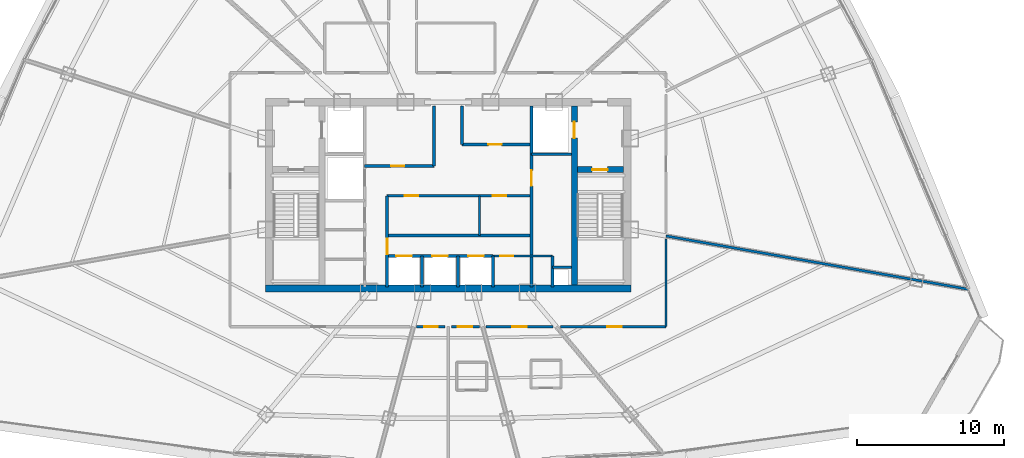
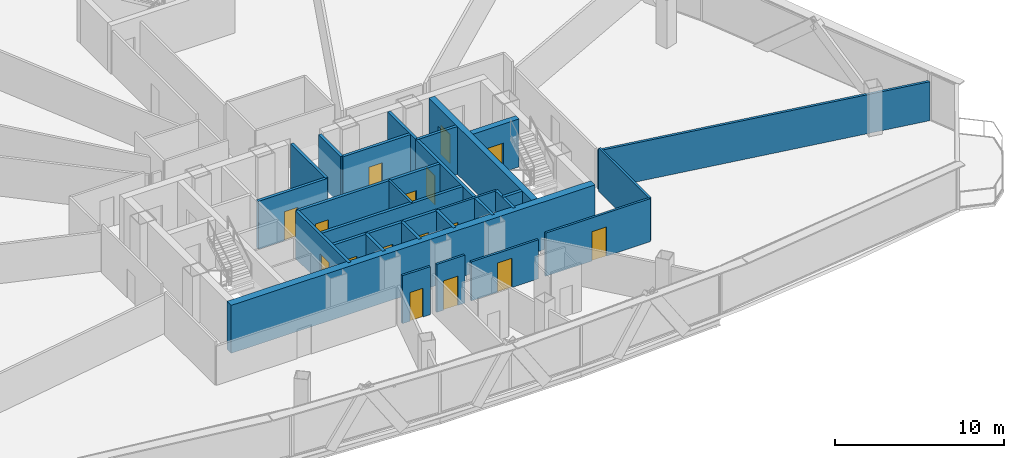
# One storey, part 28 of 34: 27 walls, 16 doors, 16 openings.
"""IFC4 building model written with IfcOpenShell, lengths in metres."""

from ifc_helpers import new_model, si_unit, direction, frame, frame_2d, origin, origin_with_axes, place, context, subcontext, project, spatial, rectangle, extrude, source, transform, mapped, material, layer, layer_set, type_object, element, fill, save


model = new_model("IFC4")

# Units and contexts
model_context = context("Model", 3, precision=1e-05, world=origin(), true_north=direction((0.0, 1.0)))
body_context = subcontext(model_context, "Body", "Model", "MODEL_VIEW")
ifc_project = project(units=[si_unit("LENGTHUNIT", "METRE"), si_unit("AREAUNIT", "SQUARE_METRE"), si_unit("VOLUMEUNIT", "CUBIC_METRE"), si_unit("PLANEANGLEUNIT", "RADIAN"), si_unit("MASSUNIT", "GRAM", prefix="KILO"), si_unit("THERMODYNAMICTEMPERATUREUNIT", "KELVIN"), si_unit("POWERUNIT", "WATT")], contexts=[model_context])

# Site, building, storey
site_placement = place(None, origin())
site = spatial("IfcSite", under=ifc_project, at=site_placement, CompositionType="ELEMENT")
building_placement = place(site_placement, origin())
building = spatial("IfcBuilding", under=site, at=building_placement, Name="Yunzhuo Pagoda Commons", CompositionType="ELEMENT")
storey_placement = place(building_placement, frame((0.0, 0.0, 229.610107421875)))
storey = spatial("IfcBuildingStorey", under=building, at=storey_placement, Name="L57", CompositionType="ELEMENT", Elevation=229.610107421875)

# Walls
ifc_material_1 = material(Name="Concrete C50", Category="concrete")
ifc_layer_1 = layer(ifc_material_1, 0.5)
ifc_layer_set_1 = layer_set([ifc_layer_1], Name="Concrete C50")
wall_type_1 = type_object("IfcWallType", Name="W-C03 Upper Core Shear Wall 500", PredefinedType="SHEAR", material=ifc_layer_set_1)
wall_1_placement = place(storey_placement, frame((35.550048828125, 27.5, 0.0), z_axis=(0.0, 0.0, 1.0), x_axis=(1.0, 0.0, 0.0)))
element("IfcWall", 1, at=wall_1_placement, inside=storey, type_object=wall_type_1, Name="L57 core shear wall S", PredefinedType="SHEAR", context=body_context, shape_type="SweptSolid", body=[
    extrude(rectangle(XDim=24.89990234375, YDim=0.5, at=frame_2d((12.449951171875, 0.0))), origin(), (0.0, 0.0, 1.0), 3.469970703125),
])
ifc_material_2 = material(Name="Gypsum plasterboard on acoustic stud")
ifc_layer_2 = layer(ifc_material_2, 0.14990234375)
ifc_layer_set_2 = layer_set([ifc_layer_2], Name="Gypsum plasterboard on acoustic stud")
wall_type_2 = type_object("IfcWallType", Name="W-COR3 High-Zone Rated Corridor Wall 150", PredefinedType="PARTITIONING", material=ifc_layer_set_2)
wall_2_placement = place(storey_placement, frame((50.14990234375, 31.1201171875, 0.0), z_axis=(0.0, 0.0, 1.0), x_axis=(0.0, 1.0, 0.0)))
element("IfcWall", 2, at=wall_2_placement, inside=storey, type_object=wall_type_2, Name="L57 interior wall IW-L57-FRMD", PredefinedType="PARTITIONING", context=body_context, shape_type="SweptSolid", body=[
    extrude(rectangle(XDim=2.699951171875, YDim=0.14990234375, at=frame_2d((1.35009765625, 0.0))), origin(), (0.0, 0.0, 1.0), 3.469970703125),
])

# Wall, opening, door
wall_3_placement = place(storey_placement, frame((51.050048828125, 29.719970703125, 0.0), z_axis=(0.0, 0.0, 1.0), x_axis=(1.0, 0.0, 0.0)))
wall_3 = element("IfcWall", 3, at=wall_3_placement, inside=storey, type_object=wall_type_2, Name="L57 interior wall IW-L57-CSES", PredefinedType="PARTITIONING", context=body_context, shape_type="SweptSolid", body=[
    extrude(rectangle(XDim=4.070068359375, YDim=0.14990234375, at=frame_2d((2.03515625, 0.0))), origin(), (0.0, 0.0, 1.0), 3.469970703125),
])
opening_1_placement = place(wall_3_placement, frame((0.5, 0.0, 0.0)))
opening_1 = element("IfcOpeningElement", 4, at=opening_1_placement, cuts=wall_3, Name="Opening D-03", PredefinedType="OPENING", context=body_context, shape_type="SweptSolid", body=[
    extrude(rectangle(XDim=0.89990234375, YDim=2.10009765625, at=frame_2d((0.449951171875, 1.050048828125))), frame((0.0, 0.0849609375, 0.0), z_axis=(0.0, -1.0, 0.0), x_axis=(1.0, 0.0, 0.0)), (0.0, 0.0, 1.0), 0.169921875),
])
ifc_material_3 = material(Name="Galvanized fire-resisting metal leaf")
door_type_1 = type_object("IfcDoorType", Name="D-03 Core Service Fire Door 900x2100", OperationType="NOTDEFINED", PredefinedType="DOOR", material=ifc_material_3)
shared_shape_1 = source(origin(), body_context, "Body", "SweptSolid", [
    extrude(rectangle(XDim=0.89990234375, YDim=2.10009765625, at=frame_2d((0.449951171875, 1.050048828125))), frame((0.0, 0.02490234375, 0.0), z_axis=(0.0, -1.0, 0.0), x_axis=(1.0, 0.0, 0.0)), (0.0, 0.0, 1.0), 0.050048828125),
])
door_1_placement = place(opening_1_placement, origin_with_axes())
door_1 = element("IfcDoor", 5, at=door_1_placement, inside=storey, type_object=door_type_1, Name="L57 core pantry door", OperationType="SINGLE_SWING_RIGHT", OverallHeight=2.10009765625, OverallWidth=0.89990234375, PredefinedType="DOOR", context=body_context, shape_type="MappedRepresentation", body=[
    mapped(shared_shape_1, transform((0.0, 0.0, 0.0), scale=1.0)),
])
fill(opening_1, door_1)

# Wall
wall_4_placement = place(storey_placement, frame((62.85009765625, 30.858154296875, 0.0), z_axis=(0.0, 0.0, 1.0), x_axis=(0.0, -1.0, 0.0)))
element("IfcWall", 6, at=wall_4_placement, inside=storey, type_object=wall_type_2, Name="L57 interior wall IW-L57-CWL12", PredefinedType="PARTITIONING", context=body_context, shape_type="SweptSolid", body=[
    extrude(rectangle(XDim=5.958251953125, YDim=0.14990234375, at=frame_2d((2.97900390625, 0.0))), origin(), (0.0, 0.0, 1.0), 3.119873046875),
])

# Wall, opening, door
wall_5_placement = place(storey_placement, frame((62.85009765625, 24.89990234375, 0.0), z_axis=(0.0, 0.0, 1.0), x_axis=(-1.0, 0.0, 0.0)))
wall_5 = element("IfcWall", 7, at=wall_5_placement, inside=storey, type_object=wall_type_2, Name="L57 interior wall IW-L57-CWL13", PredefinedType="PARTITIONING", context=body_context, shape_type="SweptSolid", body=[
    extrude(rectangle(XDim=7.1787109375, YDim=0.14990234375, at=frame_2d((3.58935546875, 0.0))), origin(), (0.0, 0.0, 1.0), 3.119873046875),
])
opening_2_placement = place(wall_5_placement, frame((3.028076171875, 0.0, 0.0)))
opening_2 = element("IfcOpeningElement", 8, at=opening_2_placement, cuts=wall_5, Name="Opening D-08", PredefinedType="OPENING", context=body_context, shape_type="SweptSolid", body=[
    extrude(rectangle(XDim=0.97998046875, YDim=2.1201171875, at=frame_2d((0.489990234375, 1.06005859375))), frame((0.0, 0.0849609375, 0.0), z_axis=(0.0, -1.0, 0.0), x_axis=(1.0, 0.0, 0.0)), (0.0, 0.0, 1.0), 0.169921875),
])
door_type_2 = type_object("IfcDoorType", Name="D-08 High-Zone Suite Entrance Fire Door 980x2120", OperationType="NOTDEFINED", PredefinedType="DOOR", material=ifc_material_3)
shared_shape_2 = source(origin(), body_context, "Body", "SweptSolid", [
    extrude(rectangle(XDim=0.97998046875, YDim=2.1201171875, at=frame_2d((0.489990234375, 1.06005859375))), frame((0.0, 0.02490234375, 0.0), z_axis=(0.0, -1.0, 0.0), x_axis=(1.0, 0.0, 0.0)), (0.0, 0.0, 1.0), 0.050048828125),
])
door_2_placement = place(opening_2_placement, origin_with_axes())
door_2 = element("IfcDoor", 9, at=door_2_placement, inside=storey, type_object=door_type_2, Name="L57 unit 13 entrance door", OperationType="SINGLE_SWING_LEFT", OverallHeight=2.1201171875, OverallWidth=0.97998046875, PredefinedType="DOOR", context=body_context, shape_type="MappedRepresentation", body=[
    mapped(shared_shape_2, transform((0.0, 0.0, 0.0), scale=1.0)),
])
fill(opening_2, door_2)

wall_6_placement = place(storey_placement, frame((55.164306640625, 24.89990234375, 0.0), z_axis=(0.0, 0.0, 1.0), x_axis=(-1.0, 0.0, 0.0)))
wall_6 = element("IfcWall", 10, at=wall_6_placement, inside=storey, type_object=wall_type_2, Name="L57 interior wall IW-L57-CWL14", PredefinedType="PARTITIONING", context=body_context, shape_type="SweptSolid", body=[
    extrude(rectangle(XDim=4.57861328125, YDim=0.14990234375, at=frame_2d((2.289306640625, 0.0))), origin(), (0.0, 0.0, 1.0), 2.81982421875),
])
opening_3_placement = place(wall_6_placement, frame((1.818115234375, 0.0, 0.0)))
opening_3 = element("IfcOpeningElement", 11, at=opening_3_placement, cuts=wall_6, Name="Opening D-08", PredefinedType="OPENING", context=body_context, shape_type="SweptSolid", body=[
    extrude(rectangle(XDim=0.97998046875, YDim=2.1201171875, at=frame_2d((0.489990234375, 1.06005859375))), frame((0.0, 0.0849609375, 0.0), z_axis=(0.0, -1.0, 0.0), x_axis=(1.0, 0.0, 0.0)), (0.0, 0.0, 1.0), 0.169921875),
])
door_3_placement = place(opening_3_placement, origin_with_axes())
door_3 = element("IfcDoor", 12, at=door_3_placement, inside=storey, type_object=door_type_2, Name="L57 unit 12 entrance door", OperationType="SINGLE_SWING_RIGHT", OverallHeight=2.1201171875, OverallWidth=0.97998046875, PredefinedType="DOOR", context=body_context, shape_type="MappedRepresentation", body=[
    mapped(shared_shape_2, transform((0.0, 0.0, 0.0), scale=1.0)),
])
fill(opening_3, door_3)

wall_7_placement = place(storey_placement, frame((50.13818359375, 24.89990234375, 0.0), z_axis=(0.0, 0.0, 1.0), x_axis=(-1.0, 0.0, 0.0)))
wall_7 = element("IfcWall", 13, at=wall_7_placement, inside=storey, type_object=wall_type_2, Name="L57 interior wall IW-L57-CWL15", PredefinedType="PARTITIONING", context=body_context, shape_type="SweptSolid", body=[
    extrude(rectangle(XDim=1.918212890625, YDim=0.14990234375, at=frame_2d((0.958984375, 0.0))), origin(), (0.0, 0.0, 1.0), 3.469970703125),
])
opening_4_placement = place(wall_7_placement, frame((0.484130859375, 0.0, 0.0)))
opening_4 = element("IfcOpeningElement", 14, at=opening_4_placement, cuts=wall_7, Name="Opening D-08", PredefinedType="OPENING", context=body_context, shape_type="SweptSolid", body=[
    extrude(rectangle(XDim=0.97998046875, YDim=2.1201171875, at=frame_2d((0.489990234375, 1.06005859375))), frame((0.0, 0.0849609375, 0.0), z_axis=(0.0, -1.0, 0.0), x_axis=(1.0, 0.0, 0.0)), (0.0, 0.0, 1.0), 0.169921875),
])
door_4_placement = place(opening_4_placement, origin_with_axes())
door_4 = element("IfcDoor", 15, at=door_4_placement, inside=storey, type_object=door_type_2, Name="L57 unit 11 entrance door", OperationType="SINGLE_SWING_LEFT", OverallHeight=2.1201171875, OverallWidth=0.97998046875, PredefinedType="DOOR", context=body_context, shape_type="MappedRepresentation", body=[
    mapped(shared_shape_2, transform((0.0, 0.0, 0.0), scale=1.0)),
])
fill(opening_4, door_4)

wall_8_placement = place(storey_placement, frame((47.780029296875, 24.89990234375, 0.0), z_axis=(0.0, 0.0, 1.0), x_axis=(-1.0, 0.0, 0.0)))
wall_8 = element("IfcWall", 16, at=wall_8_placement, inside=storey, type_object=wall_type_2, Name="L57 interior wall IW-L57-CWL16", PredefinedType="PARTITIONING", context=body_context, shape_type="SweptSolid", body=[
    extrude(rectangle(XDim=1.918212890625, YDim=0.14990234375, at=frame_2d((0.958984375, 0.0))), origin(), (0.0, 0.0, 1.0), 3.469970703125),
])
opening_5_placement = place(wall_8_placement, frame((0.4990234375, 0.0, 0.0)))
opening_5 = element("IfcOpeningElement", 17, at=opening_5_placement, cuts=wall_8, Name="Opening D-12", PredefinedType="OPENING", context=body_context, shape_type="SweptSolid", body=[
    extrude(rectangle(XDim=0.89990234375, YDim=2.080078125, at=frame_2d((0.449951171875, 1.0400390625))), frame((0.0, 0.0849609375, 0.0), z_axis=(0.0, -1.0, 0.0), x_axis=(1.0, 0.0, 0.0)), (0.0, 0.0, 1.0), 0.169921875),
])
ifc_material_4 = material(Name="Powder-coated aluminium and timber acoustic leaf", Category="wood")
door_type_3 = type_object("IfcDoorType", Name="D-12 Quiet Study Interior Door 900x2080", OperationType="NOTDEFINED", PredefinedType="DOOR", material=ifc_material_4)
shared_shape_3 = source(origin(), body_context, "Body", "SweptSolid", [
    extrude(rectangle(XDim=0.89990234375, YDim=2.080078125, at=frame_2d((0.449951171875, 1.0400390625))), frame((0.0, 0.02490234375, 0.0), z_axis=(0.0, -1.0, 0.0), x_axis=(1.0, 0.0, 0.0)), (0.0, 0.0, 1.0), 0.050048828125),
])
door_5_placement = place(opening_5_placement, origin_with_axes())
door_5 = element("IfcDoor", 18, at=door_5_placement, inside=storey, type_object=door_type_3, Name="L57 study lounge 10 door", OperationType="SINGLE_SWING_RIGHT", OverallHeight=2.080078125, OverallWidth=0.89990234375, PredefinedType="DOOR", context=body_context, shape_type="MappedRepresentation", body=[
    mapped(shared_shape_3, transform((0.0, 0.0, 0.0), scale=1.0)),
])
fill(opening_5, door_5)

# Wall
ifc_layer_3 = layer(ifc_material_2, 0.169921875)
ifc_layer_set_3 = layer_set([ifc_layer_3], Name="Gypsum plasterboard on acoustic stud")
wall_type_3 = type_object("IfcWallType", Name="W-PRT4 High-Zone Demising Wall 170", PredefinedType="PARTITIONING", material=ifc_layer_set_3)
wall_9_placement = place(storey_placement, frame((62.85009765625, 31.08154296875, 0.0), z_axis=(0.0, 0.0, 1.0), x_axis=(0.984808138799, -0.17364598975, 0.0)))
element("IfcWall", 19, at=wall_9_placement, inside=storey, type_object=wall_type_3, Name="L57 interior wall IW-L57-RAD13", PredefinedType="PARTITIONING", context=body_context, shape_type="SweptSolid", body=[
    extrude(rectangle(XDim=20.889892578125, YDim=0.169921875, at=frame_2d((10.44482421875, 0.0))), origin(), (0.0, 0.0, 1.0), 2.81982421875),
])

# Wall, opening, door
ifc_material_5 = material(Name="Concrete C60", Category="concrete")
ifc_layer_4 = layer(ifc_material_5, 0.39990234375)
ifc_layer_set_4 = layer_set([ifc_layer_4], Name="Concrete C60")
wall_type_4 = type_object("IfcWallType", Name="W-S01 Internal Core Shear Web 400", PredefinedType="SHEAR", material=ifc_layer_set_4)
wall_10_placement = place(storey_placement, frame((56.60009765625, 27.75, 0.0), z_axis=(0.0, 0.0, 1.0), x_axis=(0.0, 1.0, 0.0)))
wall_10 = element("IfcWall", 20, at=wall_10_placement, inside=storey, type_object=wall_type_4, Name="L57 core shear wall WEBE", PredefinedType="SHEAR", context=body_context, shape_type="SweptSolid", body=[
    extrude(rectangle(XDim=12.199951171875, YDim=0.39990234375, at=frame_2d((6.10009765625, 0.0))), origin(), (0.0, 0.0, 1.0), 3.469970703125),
])
opening_6_placement = place(wall_10_placement, frame((10.0, 0.0, 0.0)))
opening_6 = element("IfcOpeningElement", 21, at=opening_6_placement, cuts=wall_10, Name="Opening LD-01", PredefinedType="OPENING", context=body_context, shape_type="SweptSolid", body=[
    extrude(rectangle(XDim=1.10009765625, YDim=2.10009765625, at=frame_2d((0.550048828125, 1.050048828125))), frame((0.0, 0.2099609375, 0.0), z_axis=(0.0, -1.0, 0.0), x_axis=(1.0, 0.0, 0.0)), (0.0, 0.0, 1.0), 0.419921875),
])
door_type_4 = type_object("IfcDoorType", Name="LD-01 Firefighting Lift Landing Door 1100x2100", OperationType="DOUBLE_DOOR_SLIDING", PredefinedType="DOOR", material=ifc_material_3)
shared_shape_4 = source(origin(), body_context, "Body", "SweptSolid", [
    extrude(rectangle(XDim=1.10009765625, YDim=2.10009765625, at=frame_2d((0.550048828125, 1.050048828125))), frame((0.0, 0.02490234375, 0.0), z_axis=(0.0, -1.0, 0.0), x_axis=(1.0, 0.0, 0.0)), (0.0, 0.0, 1.0), 0.050048828125),
])
door_6_placement = place(opening_6_placement, origin_with_axes())
door_6 = element("IfcDoor", 22, at=door_6_placement, inside=storey, type_object=door_type_4, Name="L57 Firefighting lift FL-2 landing door", OperationType="DOUBLE_DOOR_SLIDING", OverallHeight=2.10009765625, OverallWidth=1.10009765625, PredefinedType="DOOR", context=body_context, shape_type="MappedRepresentation", body=[
    mapped(shared_shape_4, transform((0.0, 0.0, 0.0), scale=1.0)),
])
fill(opening_6, door_6)

wall_11_placement = place(storey_placement, frame((56.800048828125, 35.60009765625, 0.0), z_axis=(0.0, 0.0, 1.0), x_axis=(1.0, 0.0, 0.0)))
wall_11 = element("IfcWall", 23, at=wall_11_placement, inside=storey, type_object=wall_type_4, Name="L57 core shear wall STE", PredefinedType="SHEAR", context=body_context, shape_type="SweptSolid", body=[
    extrude(rectangle(XDim=3.14990234375, YDim=0.39990234375, at=frame_2d((1.574951171875, 0.0))), origin(), (0.0, 0.0, 1.0), 3.469970703125),
])
opening_7_placement = place(wall_11_placement, frame((1.02001953125, 0.0, 0.0)))
opening_7 = element("IfcOpeningElement", 24, at=opening_7_placement, cuts=wall_11, Name="Opening D-01", PredefinedType="OPENING", context=body_context, shape_type="SweptSolid", body=[
    extrude(rectangle(XDim=1.050048828125, YDim=2.10009765625, at=frame_2d((0.52490234375, 1.050048828125))), frame((0.0, 0.2099609375, 0.0), z_axis=(0.0, -1.0, 0.0), x_axis=(1.0, 0.0, 0.0)), (0.0, 0.0, 1.0), 0.419921875),
])
door_type_5 = type_object("IfcDoorType", Name="D-01 Smokeproof Stair Fire Door 1050x2100", OperationType="NOTDEFINED", PredefinedType="DOOR", material=ifc_material_3)
shared_shape_5 = source(origin(), body_context, "Body", "SweptSolid", [
    extrude(rectangle(XDim=1.050048828125, YDim=2.10009765625, at=frame_2d((0.52490234375, 1.050048828125))), frame((0.0, 0.02490234375, 0.0), z_axis=(0.0, -1.0, 0.0), x_axis=(1.0, 0.0, 0.0)), (0.0, 0.0, 1.0), 0.050048828125),
])
door_7_placement = place(opening_7_placement, frame((1.050048828125, 0.0, 0.0), z_axis=(0.0, 0.0, 1.0), x_axis=(-1.0, 0.0, 0.0)))
door_7 = element("IfcDoor", 25, at=door_7_placement, inside=storey, type_object=door_type_5, Name="L57 Stair ST2 fire door", OperationType="SINGLE_SWING_RIGHT", OverallHeight=2.10009765625, OverallWidth=1.050048828125, PredefinedType="DOOR", context=body_context, shape_type="MappedRepresentation", body=[
    mapped(shared_shape_5, transform((0.0, 0.0, 0.0), scale=1.0)),
])
fill(opening_7, door_7)

# Walls
ifc_material_6 = material(Name="Concrete C40", Category="concrete")
ifc_layer_5 = layer(ifc_material_6, 0.199951171875)
ifc_layer_set_5 = layer_set([ifc_layer_5], Name="Concrete C40")
wall_type_5 = type_object("IfcWallType", Name="W-SHF Shaft & Stair Enclosure Wall 200", PredefinedType="SOLIDWALL", material=ifc_layer_set_5)
wall_12_placement = place(storey_placement, frame((53.679931640625, 36.64990234375, 0.0), z_axis=(0.0, 0.0, 1.0), x_axis=(0.0, 1.0, 0.0)))
element("IfcWall", 26, at=wall_12_placement, inside=storey, type_object=wall_type_5, Name="L57 interior wall IW-L57-FL2W", PredefinedType="SOLIDWALL", context=body_context, shape_type="SweptSolid", body=[
    extrude(rectangle(XDim=3.300048828125, YDim=0.199951171875, at=frame_2d((1.64990234375, 0.0))), origin(), (0.0, 0.0, 1.0), 3.469970703125),
])
wall_13_placement = place(storey_placement, frame((53.679931640625, 36.64990234375, 0.0), z_axis=(0.0, 0.0, 1.0), x_axis=(1.0, 0.0, 0.0)))
element("IfcWall", 27, at=wall_13_placement, inside=storey, type_object=wall_type_5, Name="L57 interior wall IW-L57-FL2S", PredefinedType="SOLIDWALL", context=body_context, shape_type="SweptSolid", body=[
    extrude(rectangle(XDim=2.719970703125, YDim=0.199951171875, at=frame_2d((1.35986328125, 0.0))), origin(), (0.0, 0.0, 1.0), 3.469970703125),
])

# Wall, opening, door
wall_14_placement = place(storey_placement, frame((42.320068359375, 35.85009765625, 0.0), z_axis=(0.0, 0.0, 1.0), x_axis=(1.0, 0.0, 0.0)))
wall_14 = element("IfcWall", 28, at=wall_14_placement, inside=storey, type_object=wall_type_5, Name="L57 interior wall IW-L57-LBNW", PredefinedType="SOLIDWALL", context=body_context, shape_type="SweptSolid", body=[
    extrude(rectangle(XDim=4.72998046875, YDim=0.199951171875, at=frame_2d((2.364990234375, 0.0))), origin(), (0.0, 0.0, 1.0), 3.469970703125),
])
opening_8_placement = place(wall_14_placement, frame((1.800048828125, 0.0, 0.0)))
opening_8 = element("IfcOpeningElement", 29, at=opening_8_placement, cuts=wall_14, Name="Opening D-03", PredefinedType="OPENING", context=body_context, shape_type="SweptSolid", body=[
    extrude(rectangle(XDim=0.89990234375, YDim=2.10009765625, at=frame_2d((0.449951171875, 1.050048828125))), frame((0.0, 0.10986328125, 0.0), z_axis=(0.0, -1.0, 0.0), x_axis=(1.0, 0.0, 0.0)), (0.0, 0.0, 1.0), 0.219970703125),
])
door_8_placement = place(opening_8_placement, frame((0.89990234375, 0.0, 0.0), z_axis=(0.0, 0.0, 1.0), x_axis=(-1.0, 0.0, 0.0)))
door_8 = element("IfcDoor", 30, at=door_8_placement, inside=storey, type_object=door_type_1, Name="L57 core west store door", OperationType="SINGLE_SWING_LEFT", OverallHeight=2.10009765625, OverallWidth=0.89990234375, PredefinedType="DOOR", context=body_context, shape_type="MappedRepresentation", body=[
    mapped(shared_shape_1, transform((0.0, 0.0, 0.0), scale=1.0)),
])
fill(opening_8, door_8)

wall_15_placement = place(storey_placement, frame((48.949951171875, 37.320068359375, 0.0), z_axis=(0.0, 0.0, 1.0), x_axis=(1.0, 0.0, 0.0)))
wall_15 = element("IfcWall", 31, at=wall_15_placement, inside=storey, type_object=wall_type_5, Name="L57 interior wall IW-L57-LBNE", PredefinedType="SOLIDWALL", context=body_context, shape_type="SweptSolid", body=[
    extrude(rectangle(XDim=4.72998046875, YDim=0.199951171875, at=frame_2d((2.364990234375, 0.0))), origin(), (0.0, 0.0, 1.0), 3.469970703125),
])
opening_9_placement = place(wall_15_placement, frame((1.800048828125, 0.0, 0.0)))
opening_9 = element("IfcOpeningElement", 32, at=opening_9_placement, cuts=wall_15, Name="Opening D-03", PredefinedType="OPENING", context=body_context, shape_type="SweptSolid", body=[
    extrude(rectangle(XDim=0.89990234375, YDim=2.10009765625, at=frame_2d((0.449951171875, 1.050048828125))), frame((0.0, 0.10986328125, 0.0), z_axis=(0.0, -1.0, 0.0), x_axis=(1.0, 0.0, 0.0)), (0.0, 0.0, 1.0), 0.219970703125),
])
door_9_placement = place(opening_9_placement, frame((0.89990234375, 0.0, 0.0), z_axis=(0.0, 0.0, 1.0), x_axis=(-1.0, 0.0, 0.0)))
door_9 = element("IfcDoor", 33, at=door_9_placement, inside=storey, type_object=door_type_1, Name="L57 core east store door", OperationType="SINGLE_SWING_RIGHT", OverallHeight=2.10009765625, OverallWidth=0.89990234375, PredefinedType="DOOR", context=body_context, shape_type="MappedRepresentation", body=[
    mapped(shared_shape_1, transform((0.0, 0.0, 0.0), scale=1.0)),
])
fill(opening_9, door_9)

# Walls
wall_16_placement = place(storey_placement, frame((47.050048828125, 35.85009765625, 0.0), z_axis=(0.0, 0.0, 1.0), x_axis=(0.0, 1.0, 0.0)))
element("IfcWall", 34, at=wall_16_placement, inside=storey, type_object=wall_type_5, Name="L57 interior wall IW-L57-THRW", PredefinedType="SOLIDWALL", context=body_context, shape_type="SweptSolid", body=[
    extrude(rectangle(XDim=4.099853515625, YDim=0.199951171875, at=frame_2d((2.0498046875, 0.0))), origin(), (0.0, 0.0, 1.0), 3.469970703125),
])
wall_17_placement = place(storey_placement, frame((48.949951171875, 37.320068359375, 0.0), z_axis=(0.0, 0.0, 1.0), x_axis=(0.0, 1.0, 0.0)))
element("IfcWall", 35, at=wall_17_placement, inside=storey, type_object=wall_type_5, Name="L57 interior wall IW-L57-THRE", PredefinedType="SOLIDWALL", context=body_context, shape_type="SweptSolid", body=[
    extrude(rectangle(XDim=2.6298828125, YDim=0.199951171875, at=frame_2d((1.31494140625, 0.0))), origin(), (0.0, 0.0, 1.0), 3.469970703125),
])

# Wall, openings, doors
wall_18_placement = place(storey_placement, frame((43.85009765625, 33.820068359375, 0.0), z_axis=(0.0, 0.0, 1.0), x_axis=(1.0, 0.0, 0.0)))
wall_18 = element("IfcWall", 36, at=wall_18_placement, inside=storey, type_object=wall_type_5, Name="L57 interior wall IW-L57-MLBS", PredefinedType="SOLIDWALL", context=body_context, shape_type="SweptSolid", body=[
    extrude(rectangle(XDim=9.829833984375, YDim=0.199951171875, at=frame_2d((4.9150390625, 0.0))), origin(), (0.0, 0.0, 1.0), 3.469970703125),
])
opening_10_placement = place(wall_18_placement, frame((1.199951171875, 0.0, 0.0)))
opening_10 = element("IfcOpeningElement", 37, at=opening_10_placement, cuts=wall_18, Name="Opening D-03", PredefinedType="OPENING", context=body_context, shape_type="SweptSolid", body=[
    extrude(rectangle(XDim=0.89990234375, YDim=2.10009765625, at=frame_2d((0.449951171875, 1.050048828125))), frame((0.0, 0.10986328125, 0.0), z_axis=(0.0, -1.0, 0.0), x_axis=(1.0, 0.0, 0.0)), (0.0, 0.0, 1.0), 0.219970703125),
])
opening_11_placement = place(wall_18_placement, frame((7.199951171875, 0.0, 0.0)))
opening_11 = element("IfcOpeningElement", 38, at=opening_11_placement, cuts=wall_18, Name="Opening D-03", PredefinedType="OPENING", context=body_context, shape_type="SweptSolid", body=[
    extrude(rectangle(XDim=0.89990234375, YDim=2.10009765625, at=frame_2d((0.449951171875, 1.050048828125))), frame((0.0, 0.10986328125, 0.0), z_axis=(0.0, -1.0, 0.0), x_axis=(1.0, 0.0, 0.0)), (0.0, 0.0, 1.0), 0.219970703125),
])
door_10_placement = place(opening_10_placement, origin_with_axes())
door_10 = element("IfcDoor", 39, at=door_10_placement, inside=storey, type_object=door_type_1, Name="L57 core mid-west store door", OperationType="SINGLE_SWING_LEFT", OverallHeight=2.10009765625, OverallWidth=0.89990234375, PredefinedType="DOOR", context=body_context, shape_type="MappedRepresentation", body=[
    mapped(shared_shape_1, transform((0.0, 0.0, 0.0), scale=1.0)),
])
fill(opening_10, door_10)
door_11_placement = place(opening_11_placement, origin_with_axes())
door_11 = element("IfcDoor", 40, at=door_11_placement, inside=storey, type_object=door_type_1, Name="L57 core mid-east store door", OperationType="SINGLE_SWING_RIGHT", OverallHeight=2.10009765625, OverallWidth=0.89990234375, PredefinedType="DOOR", context=body_context, shape_type="MappedRepresentation", body=[
    mapped(shared_shape_1, transform((0.0, 0.0, 0.0), scale=1.0)),
])
fill(opening_11, door_11)

# Wall, opening, door
wall_19_placement = place(storey_placement, frame((43.85009765625, 27.60009765625, 0.0), z_axis=(0.0, 0.0, 1.0), x_axis=(0.0, 1.0, 0.0)))
wall_19 = element("IfcWall", 41, at=wall_19_placement, inside=storey, type_object=wall_type_5, Name="L57 interior wall IW-L57-PLMW", PredefinedType="SOLIDWALL", context=body_context, shape_type="SweptSolid", body=[
    extrude(rectangle(XDim=6.219970703125, YDim=0.199951171875, at=frame_2d((3.10986328125, 0.0))), origin(), (0.0, 0.0, 1.0), 3.469970703125),
])
opening_12_placement = place(wall_19_placement, frame((2.25, 0.0, 0.0)))
opening_12 = element("IfcOpeningElement", 42, at=opening_12_placement, cuts=wall_19, Name="Opening D-02", PredefinedType="OPENING", context=body_context, shape_type="SweptSolid", body=[
    extrude(rectangle(XDim=1.050048828125, YDim=2.10009765625, at=frame_2d((0.52490234375, 1.050048828125))), frame((0.0, 0.10986328125, 0.0), z_axis=(0.0, -1.0, 0.0), x_axis=(1.0, 0.0, 0.0)), (0.0, 0.0, 1.0), 0.219970703125),
])
door_type_6 = type_object("IfcDoorType", Name="D-02 Firefighting Lobby & Refuge Fire Door 1050x2100", OperationType="NOTDEFINED", PredefinedType="DOOR", material=ifc_material_3)
door_12_placement = place(opening_12_placement, frame((1.050048828125, 0.0, 0.0), z_axis=(0.0, 0.0, 1.0), x_axis=(-1.0, 0.0, 0.0)))
door_12 = element("IfcDoor", 43, at=door_12_placement, inside=storey, type_object=door_type_6, Name="L57 High-bank hall west door", OperationType="SINGLE_SWING_LEFT", OverallHeight=2.10009765625, OverallWidth=1.050048828125, PredefinedType="DOOR", context=body_context, shape_type="MappedRepresentation", body=[
    mapped(shared_shape_5, transform((0.0, 0.0, 0.0), scale=1.0)),
])
fill(opening_12, door_12)

wall_20_placement = place(storey_placement, frame((53.679931640625, 27.60009765625, 0.0), z_axis=(0.0, 0.0, 1.0), x_axis=(0.0, 1.0, 0.0)))
wall_20 = element("IfcWall", 44, at=wall_20_placement, inside=storey, type_object=wall_type_5, Name="L57 interior wall IW-L57-PLME", PredefinedType="SOLIDWALL", context=body_context, shape_type="SweptSolid", body=[
    extrude(rectangle(XDim=9.0498046875, YDim=0.199951171875, at=frame_2d((4.52490234375, 0.0))), origin(), (0.0, 0.0, 1.0), 3.469970703125),
])
opening_13_placement = place(wall_20_placement, frame((6.89990234375, 0.0, 0.0)))
opening_13 = element("IfcOpeningElement", 45, at=opening_13_placement, cuts=wall_20, Name="Opening D-02", PredefinedType="OPENING", context=body_context, shape_type="SweptSolid", body=[
    extrude(rectangle(XDim=1.050048828125, YDim=2.10009765625, at=frame_2d((0.52490234375, 1.050048828125))), frame((0.0, 0.10986328125, 0.0), z_axis=(0.0, -1.0, 0.0), x_axis=(1.0, 0.0, 0.0)), (0.0, 0.0, 1.0), 0.219970703125),
])
door_13_placement = place(opening_13_placement, origin_with_axes())
door_13 = element("IfcDoor", 46, at=door_13_placement, inside=storey, type_object=door_type_6, Name="L57 High-bank lift hall door", OperationType="SINGLE_SWING_RIGHT", OverallHeight=2.10009765625, OverallWidth=1.050048828125, PredefinedType="DOOR", context=body_context, shape_type="MappedRepresentation", body=[
    mapped(shared_shape_5, transform((0.0, 0.0, 0.0), scale=1.0)),
])
fill(opening_13, door_13)

# Wall, openings, doors
wall_21_placement = place(storey_placement, frame((43.85009765625, 29.719970703125, 0.0), z_axis=(0.0, 0.0, 1.0), x_axis=(1.0, 0.0, 0.0)))
wall_21 = element("IfcWall", 47, at=wall_21_placement, inside=storey, type_object=wall_type_5, Name="L57 interior wall IW-L57-PLHN", PredefinedType="SOLIDWALL", context=body_context, shape_type="SweptSolid", body=[
    extrude(rectangle(XDim=7.199951171875, YDim=0.199951171875, at=frame_2d((3.60009765625, 0.0))), origin(), (0.0, 0.0, 1.0), 3.469970703125),
])
opening_14_placement = place(wall_21_placement, frame((0.625, 0.0, 0.0)))
opening_14 = element("IfcOpeningElement", 48, at=opening_14_placement, cuts=wall_21, Name="Opening LD-02", PredefinedType="OPENING", context=body_context, shape_type="SweptSolid", body=[
    extrude(rectangle(XDim=1.050048828125, YDim=2.10009765625, at=frame_2d((0.52490234375, 1.050048828125))), frame((0.0, 0.10986328125, 0.0), z_axis=(0.0, -1.0, 0.0), x_axis=(1.0, 0.0, 0.0)), (0.0, 0.0, 1.0), 0.219970703125),
])
opening_15_placement = place(wall_21_placement, frame((3.074951171875, 0.0, 0.0)))
opening_15 = element("IfcOpeningElement", 49, at=opening_15_placement, cuts=wall_21, Name="Opening LD-02", PredefinedType="OPENING", context=body_context, shape_type="SweptSolid", body=[
    extrude(rectangle(XDim=1.050048828125, YDim=2.10009765625, at=frame_2d((0.52490234375, 1.050048828125))), frame((0.0, 0.10986328125, 0.0), z_axis=(0.0, -1.0, 0.0), x_axis=(1.0, 0.0, 0.0)), (0.0, 0.0, 1.0), 0.219970703125),
])
opening_16_placement = place(wall_21_placement, frame((5.52490234375, 0.0, 0.0)))
opening_16 = element("IfcOpeningElement", 50, at=opening_16_placement, cuts=wall_21, Name="Opening LD-02", PredefinedType="OPENING", context=body_context, shape_type="SweptSolid", body=[
    extrude(rectangle(XDim=1.050048828125, YDim=2.10009765625, at=frame_2d((0.52490234375, 1.050048828125))), frame((0.0, 0.10986328125, 0.0), z_axis=(0.0, -1.0, 0.0), x_axis=(1.0, 0.0, 0.0)), (0.0, 0.0, 1.0), 0.219970703125),
])
door_type_7 = type_object("IfcDoorType", Name="LD-02 Passenger Lift Landing Door 1050x2100", OperationType="DOUBLE_DOOR_SLIDING", PredefinedType="DOOR", material=ifc_material_3)
door_14_placement = place(opening_14_placement, origin_with_axes())
door_14 = element("IfcDoor", 51, at=door_14_placement, inside=storey, type_object=door_type_7, Name="L57 Passenger lift PL-H1 landing door", OperationType="DOUBLE_DOOR_SLIDING", OverallHeight=2.10009765625, OverallWidth=1.050048828125, PredefinedType="DOOR", context=body_context, shape_type="MappedRepresentation", body=[
    mapped(shared_shape_5, transform((0.0, 0.0, 0.0), scale=1.0)),
])
fill(opening_14, door_14)
door_15_placement = place(opening_15_placement, origin_with_axes())
door_15 = element("IfcDoor", 52, at=door_15_placement, inside=storey, type_object=door_type_7, Name="L57 Passenger lift PL-H2 landing door", OperationType="DOUBLE_DOOR_SLIDING", OverallHeight=2.10009765625, OverallWidth=1.050048828125, PredefinedType="DOOR", context=body_context, shape_type="MappedRepresentation", body=[
    mapped(shared_shape_5, transform((0.0, 0.0, 0.0), scale=1.0)),
])
fill(opening_15, door_15)
door_16_placement = place(opening_16_placement, origin_with_axes())
door_16 = element("IfcDoor", 53, at=door_16_placement, inside=storey, type_object=door_type_7, Name="L57 Passenger lift PL-H3 landing door", OperationType="DOUBLE_DOOR_SLIDING", OverallHeight=2.10009765625, OverallWidth=1.050048828125, PredefinedType="DOOR", context=body_context, shape_type="MappedRepresentation", body=[
    mapped(shared_shape_5, transform((0.0, 0.0, 0.0), scale=1.0)),
])
fill(opening_16, door_16)

# Walls
wall_22_placement = place(storey_placement, frame((51.050048828125, 27.60009765625, 0.0), z_axis=(0.0, 0.0, 1.0), x_axis=(0.0, 1.0, 0.0)))
element("IfcWall", 54, at=wall_22_placement, inside=storey, type_object=wall_type_5, Name="L57 interior wall IW-L57-PLHE", PredefinedType="SOLIDWALL", context=body_context, shape_type="SweptSolid", body=[
    extrude(rectangle(XDim=2.119873046875, YDim=0.199951171875, at=frame_2d((1.06005859375, 0.0))), origin(), (0.0, 0.0, 1.0), 3.469970703125),
])
wall_23_placement = place(storey_placement, frame((43.85009765625, 31.1201171875, 0.0), z_axis=(0.0, 0.0, 1.0), x_axis=(1.0, 0.0, 0.0)))
element("IfcWall", 55, at=wall_23_placement, inside=storey, type_object=wall_type_5, Name="L57 interior wall IW-L57-PLMS2", PredefinedType="SOLIDWALL", context=body_context, shape_type="SweptSolid", body=[
    extrude(rectangle(XDim=9.829833984375, YDim=0.199951171875, at=frame_2d((4.9150390625, 0.0))), origin(), (0.0, 0.0, 1.0), 3.469970703125),
])
for number, where, z_axis, x_axis, name in (
    (56, (46.22509765625, 27.60009765625, 0.0), (0.0, 0.0, 1.0), (0.0, 1.0, 0.0), "L57 interior wall IW-L57-PLHD1"),
    (57, (48.675048828125, 27.60009765625, 0.0), (0.0, 0.0, 1.0), (0.0, 1.0, 0.0), "L57 interior wall IW-L57-PLHD2"),
    (58, (55.1201171875, 27.60009765625, 0.0), (0.0, 0.0, 1.0), (0.0, 1.0, 0.0), "L57 interior wall IW-L57-RSHFW"),
):
    element("IfcWall", number, at=place(storey_placement, frame(where, z_axis=z_axis, x_axis=x_axis)), inside=storey, type_object=wall_type_5, Name=name, PredefinedType="SOLIDWALL", context=body_context, shape_type="SweptSolid", body=[
        extrude(rectangle(XDim=2.119873046875, YDim=0.199951171875, at=frame_2d((1.06005859375, 0.0))), origin(), (0.0, 0.0, 1.0), 3.469970703125),
    ])
wall_24_placement = place(storey_placement, frame((55.1201171875, 28.949951171875, 0.0), z_axis=(0.0, 0.0, 1.0), x_axis=(1.0, 0.0, 0.0)))
element("IfcWall", 59, at=wall_24_placement, inside=storey, type_object=wall_type_5, Name="L57 interior wall IW-L57-RSHFN", PredefinedType="SOLIDWALL", context=body_context, shape_type="SweptSolid", body=[
    extrude(rectangle(XDim=1.27978515625, YDim=0.199951171875, at=frame_2d((0.639892578125, 0.0))), origin(), (0.0, 0.0, 1.0), 3.469970703125),
])

save(model, "model.ifc")
